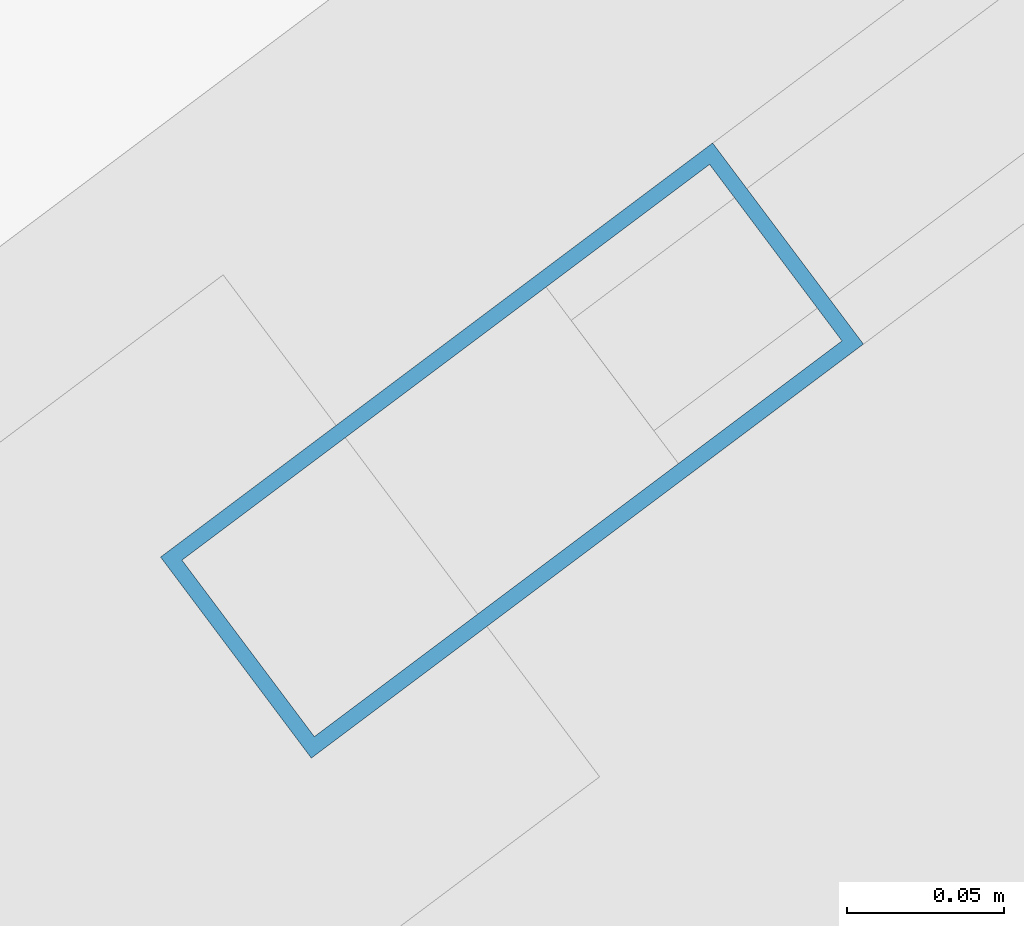
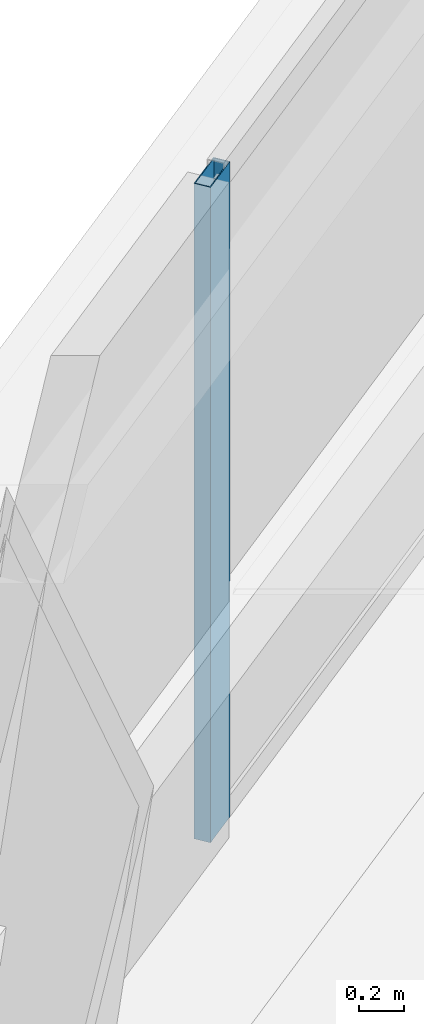
# One storey, part 45 of 67: 1 member, 1 element without a shape of its own.
"""IFC4 building model written with IfcOpenShell, lengths in metres."""

from ifc_helpers import new_model, si_unit, direction, frame, origin, origin_2d, place, context, subcontext, project, spatial, hollow_rectangle, extrude, material, material_profile, profile_set, type_object, element, aggregate, save


model = new_model("IFC4")

# Units and contexts
model_context = context("Model", 3, precision=1e-05, world=origin(), true_north=direction((0.0, 1.0)))
body_context = subcontext(model_context, "Body", "Model", "MODEL_VIEW")
ifc_project = project(units=[si_unit("LENGTHUNIT", "METRE"), si_unit("AREAUNIT", "SQUARE_METRE"), si_unit("VOLUMEUNIT", "CUBIC_METRE"), si_unit("PLANEANGLEUNIT", "RADIAN"), si_unit("MASSUNIT", "GRAM", prefix="KILO")], contexts=[model_context])

# Site, building, storey
site_placement = place(None, origin())
site = spatial("IfcSite", under=ifc_project, at=site_placement, CompositionType="ELEMENT")
building_placement = place(site_placement, origin())
building = spatial("IfcBuilding", under=site, at=building_placement, Name="Tashvorn Skyway Center", CompositionType="ELEMENT")
storey_placement = place(building_placement, frame((0.0, 0.0, 67.199951171875)))
storey = spatial("IfcBuildingStorey", under=building, at=storey_placement, Name="L17", CompositionType="ELEMENT", Elevation=67.199951171875)

# Curtain wall, member
ifc_material = material(Name="Thermally broken bronze-anodized aluminium 6063-T6", Category="aluminium")
curtain_wall_type = type_object("IfcCurtainWallType", Name="CW-CW-Z2", PredefinedType="NOTDEFINED", material=ifc_material)
curtain_wall_placement = place(storey_placement, origin())
curtain_wall = element("IfcCurtainWall", 1, at=curtain_wall_placement, inside=storey, type_object=curtain_wall_type, Name="Tower 2 L17 North Unitised Curtain Wall Glazing Group 1", PredefinedType="NOTDEFINED")
ifc_material_profile = material_profile(ifc_material, hollow_rectangle(XDim=0.080078125, YDim=0.219970703125, WallThickness=0.0048828125, at=origin_2d()), Name="ALU-MULL-80x220")
ifc_profile_set = profile_set([ifc_material_profile], Name="Thermally broken bronze-anodized aluminium 6063-T6")
member_type = type_object("IfcMemberType", Name="CWM-CW-Z2", PredefinedType="MULLION", material=ifc_profile_set)
member_placement = place(storey_placement, frame((91.35205078125, 39.864013671875, 0.0), z_axis=(0.0, 0.0, 1.0), x_axis=(-0.600000000002, 0.799999999998, 0.0)))
member = element("IfcMember", 2, at=member_placement, type_object=member_type, Name="CW-Z2 mullion 1", PredefinedType="MULLION", context=body_context, shape_type="SweptSolid", body=[
    extrude(hollow_rectangle(XDim=0.080078125, YDim=0.219970703125, WallThickness=0.0048828125, at=origin_2d()), origin(), (0.0, 0.0, 1.0), 3.550048828125),
])
aggregate(curtain_wall, [member])

save(model, "model.ifc")
